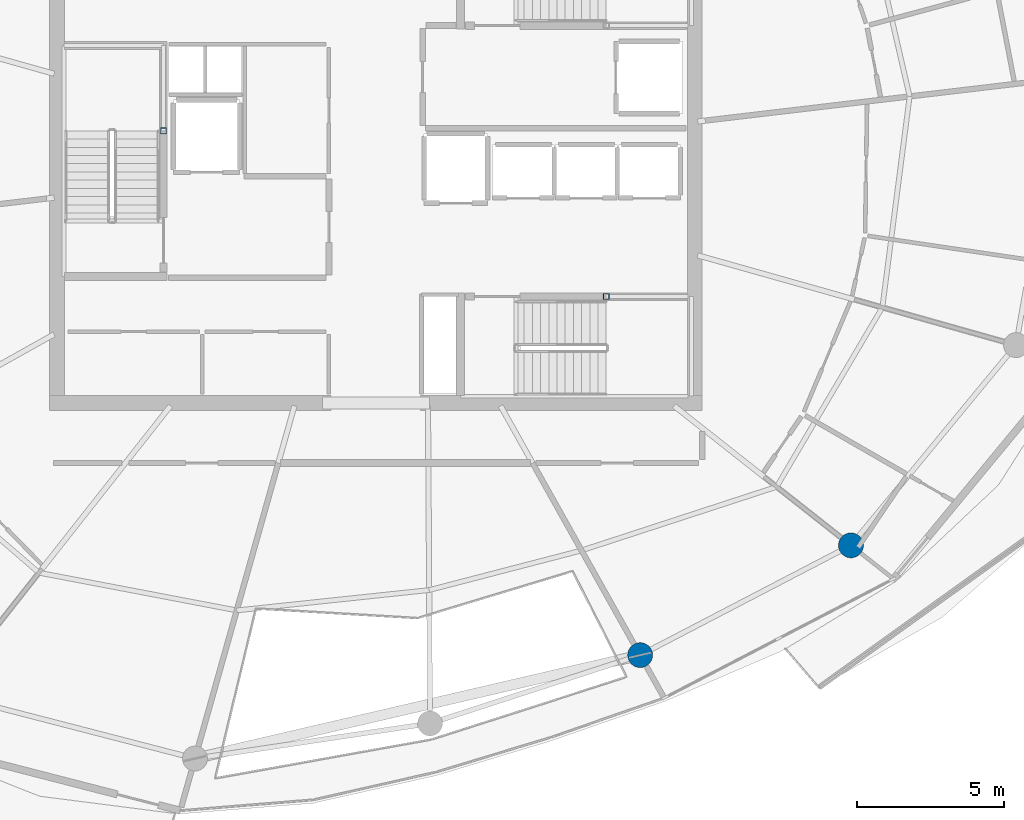
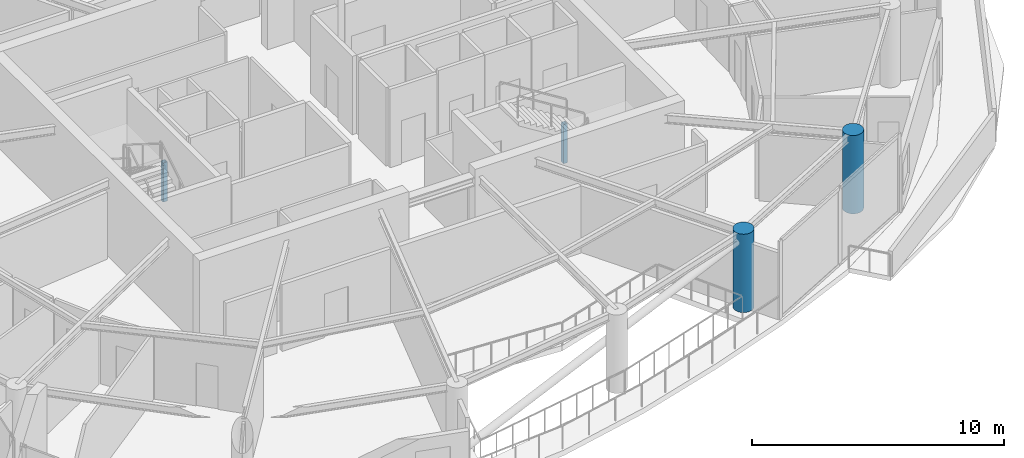
# One storey, part 2 of 21: 4 columns.
"""IFC4 building model written with IfcOpenShell, lengths in metres."""

from ifc_helpers import new_model, si_unit, direction, frame, origin, origin_2d, place, context, subcontext, project, spatial, hollow_rectangle, circle, extrude, material, material_profile, profile_set, type_object, element, save


model = new_model("IFC4")

# Units and contexts
model_context = context("Model", 3, precision=1e-05, world=origin(), true_north=direction((0.0, 1.0)))
body_context = subcontext(model_context, "Body", "Model", "MODEL_VIEW")
ifc_project = project(units=[si_unit("LENGTHUNIT", "METRE"), si_unit("AREAUNIT", "SQUARE_METRE"), si_unit("VOLUMEUNIT", "CUBIC_METRE"), si_unit("PLANEANGLEUNIT", "RADIAN"), si_unit("MASSUNIT", "GRAM", prefix="KILO")], contexts=[model_context])

# Site, building, storey
site_placement = place(None, origin())
site = spatial("IfcSite", under=ifc_project, at=site_placement, CompositionType="ELEMENT")
building_placement = place(site_placement, origin())
building = spatial("IfcBuilding", under=site, at=building_placement, Name="Kazma Halo Residences", CompositionType="ELEMENT")
storey_placement = place(building_placement, frame((0.0, 0.0, 338.89990234375)))
storey = spatial("IfcBuildingStorey", under=building, at=storey_placement, Name="L85", CompositionType="ELEMENT", Elevation=338.89990234375)

# Columns
ifc_material_1 = material(Name="Steel S355", Category="steel")
ifc_material_profile_1 = material_profile(ifc_material_1, hollow_rectangle(XDim=0.199951171875, YDim=0.199951171875, WallThickness=0.010009765625, InnerFilletRadius=0.010009765625, OuterFilletRadius=0.02001953125, at=origin_2d()), Name="SHS200x200x10")
ifc_profile_set_1 = profile_set([ifc_material_profile_1], Name="Steel S355")
column_type_1 = type_object("IfcColumnType", Name="COL-LP-SHS200", PredefinedType="COLUMN", material=ifc_profile_set_1)
for number, where, z_axis, x_axis, name in (
    (1, (41.179931640625, 43.030029296875, 0.0), (0.0, 0.0, 1.0), (1.0, 0.0, 0.0), "L85 ST-01 landing pilaster 1"),
    (2, (56.280029296875, 37.3798828125, 0.0), (0.0, 0.0, 1.0), (1.0, 0.0, 0.0), "L85 ST-03 landing pilaster 1"),
):
    element("IfcColumn", number, at=place(storey_placement, frame(where, z_axis=z_axis, x_axis=x_axis)), inside=storey, type_object=column_type_1, Name=name, PredefinedType="COLUMN", context=body_context, shape_type="SweptSolid", body=[
        extrude(hollow_rectangle(XDim=0.199951171875, YDim=0.199951171875, WallThickness=0.010009765625, InnerFilletRadius=0.010009765625, OuterFilletRadius=0.02001953125, at=origin_2d()), origin(), (0.0, 0.0, 1.0), 1.89501953125),
    ])
ifc_material_2 = material(Name="Concrete C60/75", Category="concrete")
ifc_material_profile_2 = material_profile(ifc_material_2, circle(Radius=0.425048828125, at=origin_2d()), Name="CIRC850")
ifc_profile_set_2 = profile_set([ifc_material_profile_2], Name="Concrete C60/75")
column_type_2 = type_object("IfcColumnType", Name="COL-PERIM-850", PredefinedType="COLUMN", material=ifc_profile_set_2)
for number, where, z_axis, x_axis, name in (
    (3, (57.436767578125, 25.1494140625, 0.0), (0.0, 0.0, 1.0), (1.0, 0.0, 0.0), "L85 perimeter ring column P13"),
    (4, (64.626220703125, 28.89306640625, 0.0), (0.0, 0.0, 1.0), (1.0, 0.0, 0.0), "L85 perimeter ring column P14"),
):
    element("IfcColumn", number, at=place(storey_placement, frame(where, z_axis=z_axis, x_axis=x_axis)), inside=storey, type_object=column_type_2, Name=name, PredefinedType="COLUMN", context=body_context, shape_type="SweptSolid", body=[
        extrude(circle(Radius=0.425048828125, at=origin_2d()), origin(), (0.0, 0.0, 1.0), 3.800048828125),
    ])

save(model, "model.ifc")
